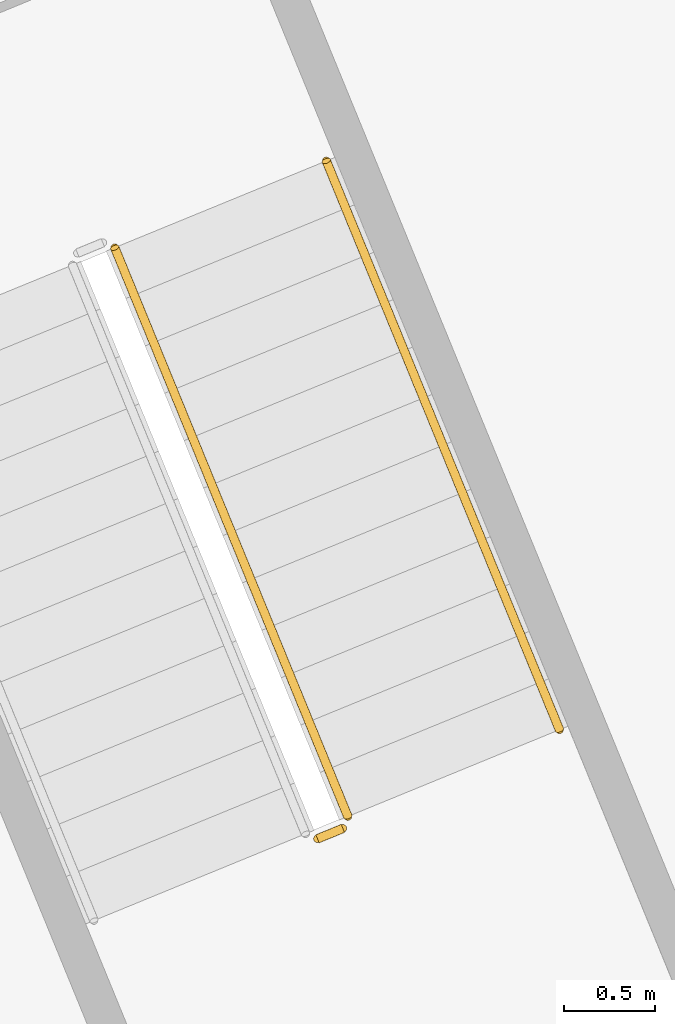
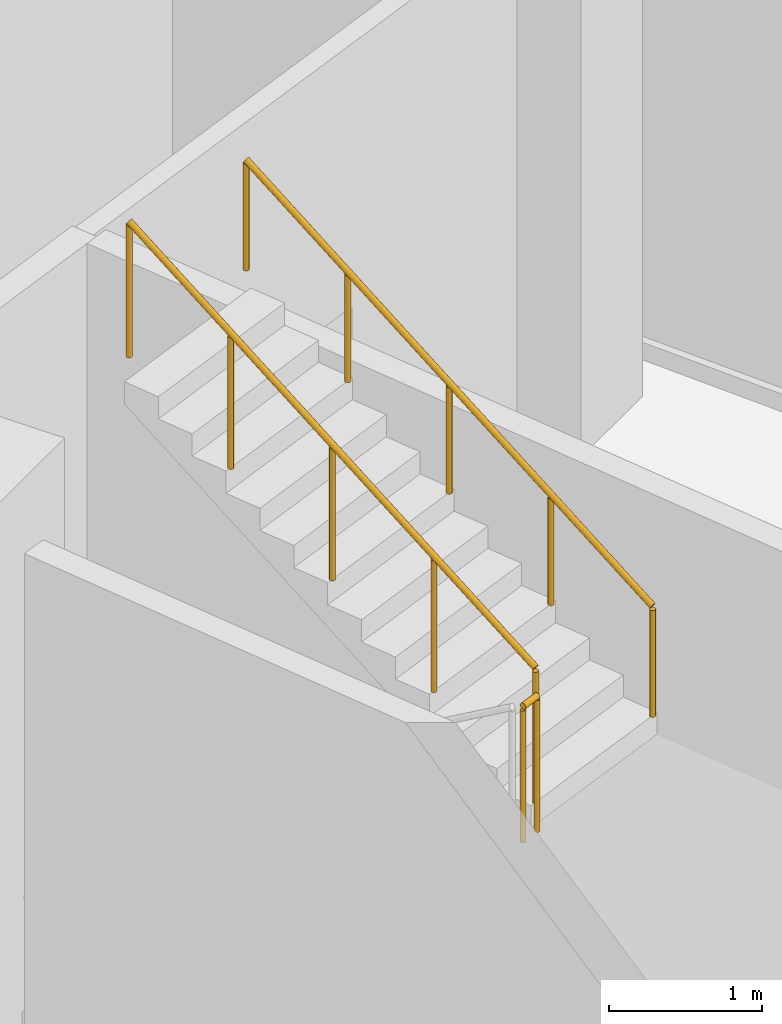
# One storey, part 39 of 39: 3 railings.
"""IFC4 building model written with IfcOpenShell, lengths in metres."""

from ifc_helpers import new_model, si_unit, direction, frame, origin, origin_2d, place, context, subcontext, project, spatial, circle, extrude, material, type_object, element, save


model = new_model("IFC4")

# Units and contexts
model_context = context("Model", 3, precision=1e-05, world=origin(), true_north=direction((0.0, 1.0)))
body_context = subcontext(model_context, "Body", "Model", "MODEL_VIEW")
ifc_project = project(units=[si_unit("LENGTHUNIT", "METRE"), si_unit("AREAUNIT", "SQUARE_METRE"), si_unit("VOLUMEUNIT", "CUBIC_METRE"), si_unit("PLANEANGLEUNIT", "RADIAN"), si_unit("MASSUNIT", "GRAM", prefix="KILO")], contexts=[model_context])

# Site, building, storey
site_placement = place(None, origin())
site = spatial("IfcSite", under=ifc_project, at=site_placement, CompositionType="ELEMENT")
building_placement = place(site_placement, origin())
building = spatial("IfcBuilding", under=site, at=building_placement, Name="Stone Belt Terrace Tower", CompositionType="ELEMENT")
storey_placement = place(building_placement, frame((0.0, 0.0, 16.199951171875)))
storey = spatial("IfcBuildingStorey", under=building, at=storey_placement, Name="L03", CompositionType="ELEMENT", Elevation=16.199951171875)

# Railings
ifc_material_1 = material(Name="Steel balustrade", Category="steel")
railing_type_1 = type_object("IfcRailingType", Name="Podium stair guard", PredefinedType="GUARDRAIL", material=ifc_material_1)
railing_1_placement = place(storey_placement, frame((59.5439453125, 29.873291015625, 2.300048828125)))
element("IfcRailing", 1, at=railing_1_placement, inside=storey, type_object=railing_type_1, Name="L03 PS4 stair guard 2", PredefinedType="GUARDRAIL", context=body_context, shape_type="SweptSolid", body=[
    extrude(circle(Radius=0.02392578125, at=origin_2d()), frame((0.0, 0.0, 1.076171875), z_axis=(0.925183283695, 0.379520607572, 0.0), x_axis=(-0.379520607572, 0.925183283695, 0.0)), (0.0, 0.0, 1.0), 0.14990234375),
    extrude(circle(Radius=0.02099609375, at=origin_2d()), origin(), (0.0, 0.0, 1.0), 1.052001953125),
    extrude(circle(Radius=0.02099609375, at=origin_2d()), frame((0.138671875, 0.056884765625, 0.0)), (0.0, 0.0, 1.0), 1.052001953125),
])
railing_2_placement = place(storey_placement, frame((59.7099609375, 29.995361328125, 2.47705078125)))
element("IfcRailing", 2, at=railing_2_placement, inside=storey, type_object=railing_type_1, Name="L03 PS4 stair guard 3", PredefinedType="GUARDRAIL", context=body_context, shape_type="SweptSolid", body=[
    extrude(circle(Radius=0.02392578125, at=origin_2d()), frame((0.0, 0.0, 1.076171875), z_axis=(-0.320592677529, 0.782224019096, 0.53417779724), x_axis=(-0.925301376681, -0.379232596584, 0.0)), (0.0, 0.0, 1.0), 3.974365234375),
    extrude(circle(Radius=0.02099609375, at=origin_2d()), origin(), (0.0, 0.0, 1.0), 1.052001953125),
    extrude(circle(Radius=0.02099609375, at=origin_2d()), frame((-0.318603515625, 0.77734375, 0.53076171875)), (0.0, 0.0, 1.0), 1.052001953125),
    extrude(circle(Radius=0.02099609375, at=origin_2d()), frame((-0.63720703125, 1.554443359375, 1.0615234375)), (0.0, 0.0, 1.0), 1.052001953125),
    extrude(circle(Radius=0.02099609375, at=origin_2d()), frame((-0.95556640625, 2.33154296875, 1.59228515625)), (0.0, 0.0, 1.0), 1.052001953125),
    extrude(circle(Radius=0.02099609375, at=origin_2d()), frame((-1.274169921875, 3.10888671875, 2.123046875)), (0.0, 0.0, 1.0), 1.052001953125),
])
ifc_material_2 = material(Name="Stainless steel handrail", Category="steel")
railing_type_2 = type_object("IfcRailingType", Name="Podium stair handrail", PredefinedType="HANDRAIL", material=ifc_material_2)
railing_3_placement = place(storey_placement, frame((60.86669921875, 30.469482421875, 2.47705078125)))
element("IfcRailing", 3, at=railing_3_placement, inside=storey, type_object=railing_type_2, Name="L03 PS4 stair handrail 2", PredefinedType="HANDRAIL", context=body_context, shape_type="SweptSolid", body=[
    extrude(circle(Radius=0.02392578125, at=origin_2d()), frame((0.0, 0.0, 0.8759765625), z_axis=(-0.320647790343, 0.782208613453, 0.534167276785), x_axis=(-0.925275877227, -0.379294807533, 0.0)), (0.0, 0.0, 1.0), 3.974609375),
    extrude(circle(Radius=0.02099609375, at=origin_2d()), origin(), (0.0, 0.0, 1.0), 0.851806640625),
    extrude(circle(Radius=0.02099609375, at=origin_2d()), frame((-0.318603515625, 0.77734375, 0.53076171875)), (0.0, 0.0, 1.0), 0.851806640625),
    extrude(circle(Radius=0.02099609375, at=origin_2d()), frame((-0.63720703125, 1.554443359375, 1.0615234375)), (0.0, 0.0, 1.0), 0.851806640625),
    extrude(circle(Radius=0.02099609375, at=origin_2d()), frame((-0.955810546875, 2.33154296875, 1.59228515625)), (0.0, 0.0, 1.0), 0.851806640625),
    extrude(circle(Radius=0.02099609375, at=origin_2d()), frame((-1.2744140625, 3.10888671875, 2.123046875)), (0.0, 0.0, 1.0), 0.851806640625),
])

save(model, "model.ifc")
